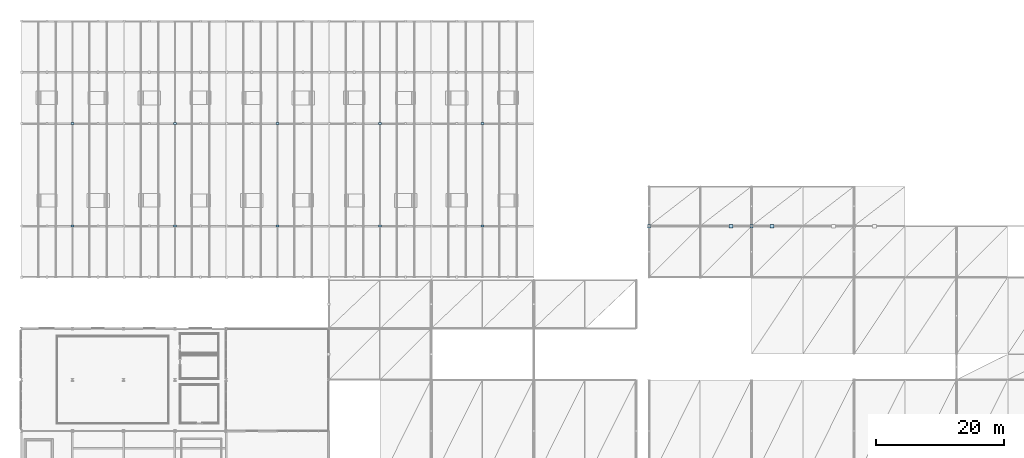
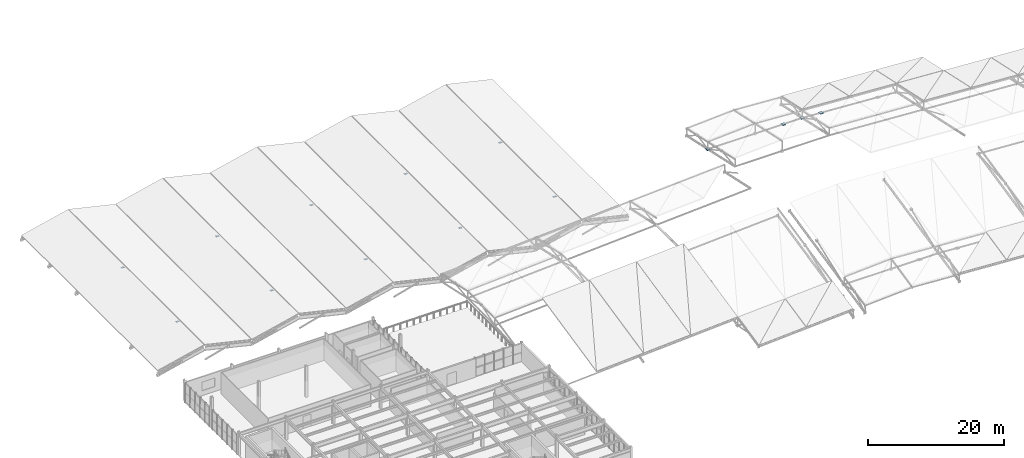
# One storey, part 42 of 67: 14 plates.
"""IFC4 building model written with IfcOpenShell, lengths in metres."""

from ifc_helpers import new_model, si_unit, direction, frame, origin, origin_2d, place, context, subcontext, project, spatial, rectangle, extrude, material, layer, layer_set, type_object, element, save


model = new_model("IFC4")

# Units and contexts
model_context = context("Model", 3, precision=1e-05, world=origin(), true_north=direction((0.0, 1.0)))
body_context = subcontext(model_context, "Body", "Model", "MODEL_VIEW")
ifc_project = project(units=[si_unit("LENGTHUNIT", "METRE"), si_unit("AREAUNIT", "SQUARE_METRE"), si_unit("VOLUMEUNIT", "CUBIC_METRE"), si_unit("PLANEANGLEUNIT", "RADIAN"), si_unit("MASSUNIT", "GRAM", prefix="KILO")], contexts=[model_context])

# Site, building, storey
site_placement = place(None, origin())
site = spatial("IfcSite", under=ifc_project, at=site_placement, CompositionType="ELEMENT")
building_placement = place(site_placement, origin())
building = spatial("IfcBuilding", under=site, at=building_placement, Name="Drelvath Fold Interchange", CompositionType="ELEMENT")
storey_placement = place(building_placement, frame((0.0, 0.0, 15.60009765625)))
storey = spatial("IfcBuildingStorey", under=building, at=storey_placement, Name="L03", CompositionType="ELEMENT", Elevation=15.60009765625)

# Plates
ifc_material = material(Name="Steel ASTM A572 Grade 50", Category="steel")
ifc_layer_1 = layer(ifc_material, 0.0400390625, Name="Steel ASTM A572 Grade 50")
ifc_layer_set_1 = layer_set([ifc_layer_1], Name="Steel ASTM A572 Grade 50")
plate_type_1 = type_object("IfcPlateType", Name="FN-01", PredefinedType="USERDEFINED", material=ifc_layer_set_1)
for number, where, z_axis, x_axis, name in (
    (1, (12.0, 67.0, 1.72998046875), (0.0, 0.0, 1.0), (1.0, 0.0, 0.0), "Folded-plate ridge truss node FN-01"),
    (2, (12.0, 83.0, 1.72998046875), (0.0, 0.0, 1.0), (1.0, 0.0, 0.0), "Folded-plate ridge truss node FN-01"),
    (3, (28.0, 67.0, 1.72998046875), (0.0, 0.0, 1.0), (1.0, 0.0, 0.0), "Folded-plate ridge truss node FN-01"),
    (4, (28.0, 83.0, 1.72998046875), (0.0, 0.0, 1.0), (1.0, 0.0, 0.0), "Folded-plate ridge truss node FN-01"),
    (5, (44.0, 67.0, 1.72998046875), (0.0, 0.0, 1.0), (1.0, 0.0, 0.0), "Folded-plate ridge truss node FN-01"),
    (6, (44.0, 83.0, 1.72998046875), (0.0, 0.0, 1.0), (1.0, 0.0, 0.0), "Folded-plate ridge truss node FN-01"),
    (7, (60.0, 67.0, 1.72998046875), (0.0, 0.0, 1.0), (1.0, 0.0, 0.0), "Folded-plate ridge truss node FN-01"),
    (8, (60.0, 83.0, 1.72998046875), (0.0, 0.0, 1.0), (1.0, 0.0, 0.0), "Folded-plate ridge truss node FN-01"),
    (9, (76.0, 67.0, 1.72998046875), (0.0, 0.0, 1.0), (1.0, 0.0, 0.0), "Folded-plate ridge truss node FN-01"),
    (10, (76.0, 83.0, 1.72998046875), (0.0, 0.0, 1.0), (1.0, 0.0, 0.0), "Folded-plate ridge truss node FN-01"),
):
    element("IfcPlate", number, at=place(storey_placement, frame(where, z_axis=z_axis, x_axis=x_axis)), inside=storey, type_object=plate_type_1, Name=name, ObjectType="GUSSET PLATE", PredefinedType="USERDEFINED", context=body_context, shape_type="SweptSolid", body=[
        extrude(rectangle(XDim=0.47998046875, YDim=0.320068359375, at=origin_2d()), origin(), (0.0, 0.0, 1.0), 0.0400390625),
    ])
ifc_layer_2 = layer(ifc_material, 0.080078125, Name="Steel ASTM A572 Grade 50")
ifc_layer_set_2 = layer_set([ifc_layer_2], Name="Steel ASTM A572 Grade 50")
plate_type_2 = type_object("IfcPlateType", Name="SN-01", PredefinedType="USERDEFINED", material=ifc_layer_set_2)
for number, where, z_axis, x_axis, name in (
    (11, (102.0, 67.0, 1.098876953125), (0.0, 0.0, 1.0), (1.0, 0.0, 0.0), "Space frame column bearing node SN-01"),
    (12, (118.0, 67.0, 1.098876953125), (0.0, 0.0, 1.0), (1.0, 0.0, 0.0), "Space frame column bearing node SN-01"),
):
    element("IfcPlate", number, at=place(storey_placement, frame(where, z_axis=z_axis, x_axis=x_axis)), inside=storey, type_object=plate_type_2, Name=name, ObjectType="GUSSET PLATE", PredefinedType="USERDEFINED", context=body_context, shape_type="SweptSolid", body=[
        extrude(rectangle(XDim=0.52001953125, YDim=0.52001953125, at=origin_2d()), origin(), (0.0, 0.0, 1.0), 0.080078125),
    ])
ifc_layer_3 = layer(ifc_material, 0.070068359375, Name="Steel ASTM A572 Grade 50")
ifc_layer_set_3 = layer_set([ifc_layer_3], Name="Steel ASTM A572 Grade 50")
plate_type_3 = type_object("IfcPlateType", Name="VN-02", PredefinedType="USERDEFINED", material=ifc_layer_set_3)
for number, where, z_axis, x_axis, name in (
    (13, (114.800048828125, 67.0, 1.10205078125), (0.0, 0.0, 1.0), (1.0, 0.0, 0.0), "Canopy V-strut head gusset VN-02"),
    (14, (121.199951171875, 67.0, 0.90966796875), (0.0, 0.0, 1.0), (1.0, 0.0, 0.0), "Canopy V-strut head gusset VN-02"),
):
    element("IfcPlate", number, at=place(storey_placement, frame(where, z_axis=z_axis, x_axis=x_axis)), inside=storey, type_object=plate_type_3, Name=name, ObjectType="GUSSET PLATE", PredefinedType="USERDEFINED", context=body_context, shape_type="SweptSolid", body=[
        extrude(rectangle(XDim=0.56005859375, YDim=0.56005859375, at=origin_2d()), origin(), (0.0, 0.0, 1.0), 0.070068359375),
    ])

save(model, "model.ifc")
